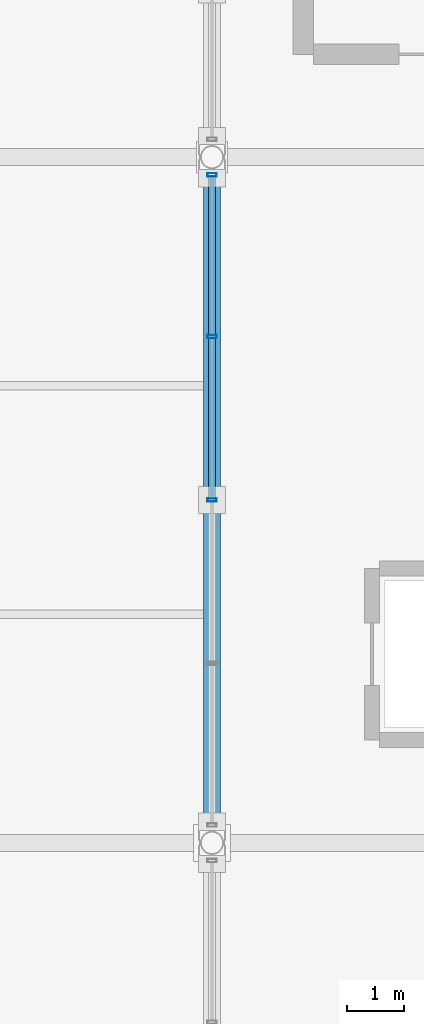
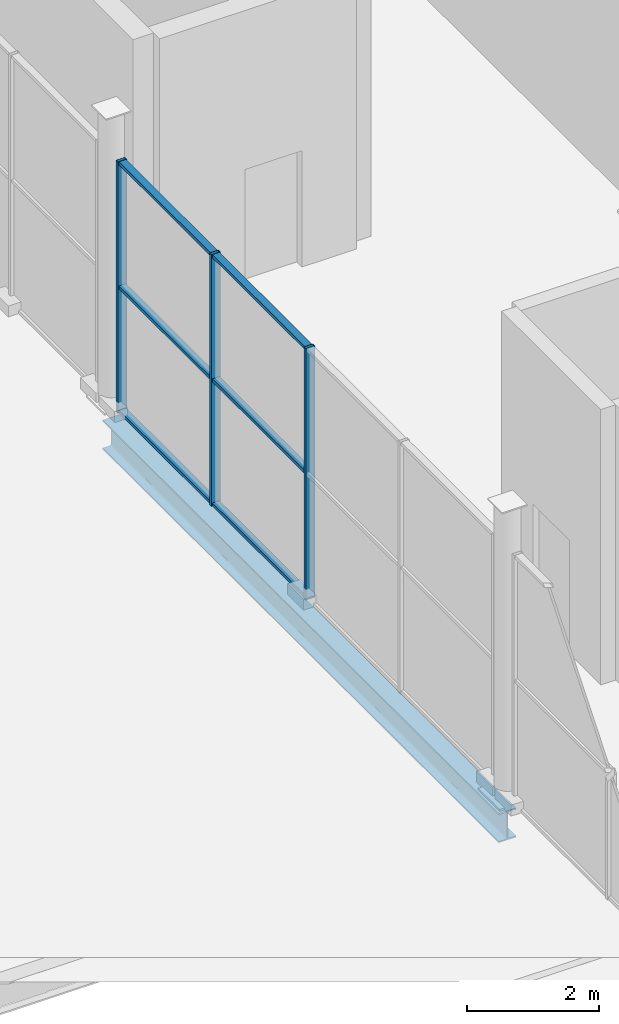
# One storey, part 117 of 196: 9 members, 1 beam, 1 element without a shape of its own.
"""IFC4 building model written with IfcOpenShell, lengths in metres."""

from ifc_helpers import new_model, si_unit, direction, frame, origin, origin_2d, place, context, subcontext, project, spatial, hollow_rectangle, i_section, extrude, material, material_profile, profile_set, type_object, element, aggregate, save


model = new_model("IFC4")

# Units and contexts
model_context = context("Model", 3, precision=1e-05, world=origin(), true_north=direction((0.0, 1.0)))
body_context = subcontext(model_context, "Body", "Model", "MODEL_VIEW")
ifc_project = project(units=[si_unit("LENGTHUNIT", "METRE"), si_unit("AREAUNIT", "SQUARE_METRE"), si_unit("VOLUMEUNIT", "CUBIC_METRE"), si_unit("PLANEANGLEUNIT", "RADIAN"), si_unit("MASSUNIT", "GRAM", prefix="KILO")], contexts=[model_context])

# Site, building, storey
site_placement = place(None, origin())
site = spatial("IfcSite", under=ifc_project, at=site_placement, CompositionType="ELEMENT")
building_placement = place(site_placement, origin())
building = spatial("IfcBuilding", under=site, at=building_placement, Name="Merenkruunu Market Hall", CompositionType="ELEMENT")
storey_placement = place(building_placement, origin())
storey = spatial("IfcBuildingStorey", under=building, at=storey_placement, Name="L00", CompositionType="ELEMENT", Elevation=0.0)

# Curtain wall, members
ifc_material_1 = material(Name="Powder-coated aluminium", Category="aluminium")
curtain_wall_type = type_object("IfcCurtainWallType", Name="Glazed Curtain Wall CW15", PredefinedType="USERDEFINED", material=ifc_material_1)
curtain_wall_placement = place(storey_placement, origin())
curtain_wall = element("IfcCurtainWall", 1, at=curtain_wall_placement, inside=storey, type_object=curtain_wall_type, Name="CW-L00-CWM01-176", ObjectType="GLAZED_FACADE", PredefinedType="USERDEFINED")
ifc_material_profile_1 = material_profile(ifc_material_1, hollow_rectangle(XDim=0.06005859375, YDim=0.159912109375, WallThickness=0.00390625, at=origin_2d()), Name="ALU 60x160x4")
ifc_profile_set_1 = profile_set([ifc_material_profile_1], Name="Powder-coated aluminium")
member_type_1 = type_object("IfcMemberType", Name="Curtain Wall Mullion CWM01", PredefinedType="MULLION", material=ifc_profile_set_1)
member_1_placement = place(storey_placement, frame((67.199951171875, 81.60009765625, 0.0), z_axis=(0.0, 0.0, 1.0), x_axis=(0.0, 1.0, 0.0)))
member_1 = element("IfcMember", 2, at=member_1_placement, type_object=member_type_1, Name="CW15 mullion 3", PredefinedType="MULLION", context=body_context, shape_type="SweptSolid", body=[
    extrude(hollow_rectangle(XDim=0.06005859375, YDim=0.159912109375, WallThickness=0.00390625, at=origin_2d()), origin(), (0.0, 0.0, 1.0), 4.64990234375),
])
member_2_placement = place(storey_placement, frame((67.199951171875, 84.4599609375, 0.0), z_axis=(0.0, 0.0, 1.0), x_axis=(0.0, 1.0, 0.0)))
member_2 = element("IfcMember", 3, at=member_2_placement, type_object=member_type_1, Name="CW15 mullion 4", PredefinedType="MULLION", context=body_context, shape_type="SweptSolid", body=[
    extrude(hollow_rectangle(XDim=0.06005859375, YDim=0.159912109375, WallThickness=0.00390625, at=origin_2d()), origin(), (0.0, 0.0, 1.0), 4.64990234375),
])
member_3_placement = place(storey_placement, frame((67.199951171875, 87.2900390625, 0.0), z_axis=(0.0, 0.0, 1.0), x_axis=(0.0, 1.0, 0.0)))
member_3 = element("IfcMember", 4, at=member_3_placement, type_object=member_type_1, Name="CW15 mullion 5", PredefinedType="MULLION", context=body_context, shape_type="SweptSolid", body=[
    extrude(hollow_rectangle(XDim=0.06005859375, YDim=0.159912109375, WallThickness=0.00390625, at=origin_2d()), origin(), (0.0, 0.0, 1.0), 4.64990234375),
])
ifc_material_profile_2 = material_profile(ifc_material_1, hollow_rectangle(XDim=0.06005859375, YDim=0.125, WallThickness=0.00390625, at=origin_2d()), Name="ALU 60x125x4")
ifc_profile_set_2 = profile_set([ifc_material_profile_2], Name="Powder-coated aluminium")
member_type_2 = type_object("IfcMemberType", Name="Curtain Wall Transom CWT01", PredefinedType="USERDEFINED", material=ifc_profile_set_2)
member_4_placement = place(storey_placement, frame((67.199951171875, 81.6298828125, 0.030029296875), z_axis=(0.0, 1.0, 0.0), x_axis=(0.0, 0.0, 1.0)))
member_4 = element("IfcMember", 5, at=member_4_placement, type_object=member_type_2, Name="CW15 transom 3.1", ObjectType="TRANSOM", PredefinedType="USERDEFINED", context=body_context, shape_type="SweptSolid", body=[
    extrude(hollow_rectangle(XDim=0.06005859375, YDim=0.125, WallThickness=0.00390625, at=origin_2d()), origin(), (0.0, 0.0, 1.0), 2.800048828125),
])
member_5_placement = place(storey_placement, frame((67.199951171875, 81.6298828125, 2.324951171875), z_axis=(0.0, 1.0, 0.0), x_axis=(0.0, 0.0, 1.0)))
member_5 = element("IfcMember", 6, at=member_5_placement, type_object=member_type_2, Name="CW15 transom 3.2", ObjectType="TRANSOM", PredefinedType="USERDEFINED", context=body_context, shape_type="SweptSolid", body=[
    extrude(hollow_rectangle(XDim=0.06005859375, YDim=0.125, WallThickness=0.00390625, at=origin_2d()), origin(), (0.0, 0.0, 1.0), 2.800048828125),
])
member_6_placement = place(storey_placement, frame((67.199951171875, 81.6298828125, 4.6201171875), z_axis=(0.0, 1.0, 0.0), x_axis=(0.0, 0.0, 1.0)))
member_6 = element("IfcMember", 7, at=member_6_placement, type_object=member_type_2, Name="CW15 transom 3.3", ObjectType="TRANSOM", PredefinedType="USERDEFINED", context=body_context, shape_type="SweptSolid", body=[
    extrude(hollow_rectangle(XDim=0.06005859375, YDim=0.125, WallThickness=0.00390625, at=origin_2d()), origin(), (0.0, 0.0, 1.0), 2.800048828125),
])
member_7_placement = place(storey_placement, frame((67.199951171875, 84.489990234375, 0.030029296875), z_axis=(0.0, 1.0, 0.0), x_axis=(0.0, 0.0, 1.0)))
member_7 = element("IfcMember", 8, at=member_7_placement, type_object=member_type_2, Name="CW15 transom 4.1", ObjectType="TRANSOM", PredefinedType="USERDEFINED", context=body_context, shape_type="SweptSolid", body=[
    extrude(hollow_rectangle(XDim=0.06005859375, YDim=0.125, WallThickness=0.00390625, at=origin_2d()), origin(), (0.0, 0.0, 1.0), 2.77001953125),
])
member_8_placement = place(storey_placement, frame((67.199951171875, 84.489990234375, 2.324951171875), z_axis=(0.0, 1.0, 0.0), x_axis=(0.0, 0.0, 1.0)))
member_8 = element("IfcMember", 9, at=member_8_placement, type_object=member_type_2, Name="CW15 transom 4.2", ObjectType="TRANSOM", PredefinedType="USERDEFINED", context=body_context, shape_type="SweptSolid", body=[
    extrude(hollow_rectangle(XDim=0.06005859375, YDim=0.125, WallThickness=0.00390625, at=origin_2d()), origin(), (0.0, 0.0, 1.0), 2.77001953125),
])
member_9_placement = place(storey_placement, frame((67.199951171875, 84.489990234375, 4.6201171875), z_axis=(0.0, 1.0, 0.0), x_axis=(0.0, 0.0, 1.0)))
member_9 = element("IfcMember", 10, at=member_9_placement, type_object=member_type_2, Name="CW15 transom 4.3", ObjectType="TRANSOM", PredefinedType="USERDEFINED", context=body_context, shape_type="SweptSolid", body=[
    extrude(hollow_rectangle(XDim=0.06005859375, YDim=0.125, WallThickness=0.00390625, at=origin_2d()), origin(), (0.0, 0.0, 1.0), 2.77001953125),
])
aggregate(curtain_wall, [member_1, member_2, member_3, member_4, member_5, member_6, member_7, member_8, member_9])

# Beam
ifc_material_2 = material(Name="Steel S355J2", Category="steel")
ifc_material_profile_3 = material_profile(ifc_material_2, i_section(OverallWidth=0.300048828125, OverallDepth=0.5400390625, WebThickness=0.012451171875, FlangeThickness=0.02392578125, FilletRadius=0.027099609375, at=origin_2d()), Name="HEA 550")
ifc_profile_set_3 = profile_set([ifc_material_profile_3], Name="Steel S355J2")
beam_type = type_object("IfcBeamType", Name="Primary Floor Girder B06", PredefinedType="BEAM", material=ifc_profile_set_3)
beam_placement = place(storey_placement, frame((67.199951171875, 75.60009765625, -0.570068359375), z_axis=(0.0, 1.0, 0.0), x_axis=(-1.0, 0.0, 0.0)))
element("IfcBeam", 11, at=beam_placement, inside=storey, type_object=beam_type, Name="BM-L00-B06-0200", PredefinedType="BEAM", context=body_context, shape_type="SweptSolid", body=[
    extrude(i_section(OverallWidth=0.300048828125, OverallDepth=0.5400390625, WebThickness=0.012451171875, FlangeThickness=0.02392578125, FilletRadius=0.027099609375, at=origin_2d()), origin(), (0.0, 0.0, 1.0), 12.0),
])

save(model, "model.ifc")
